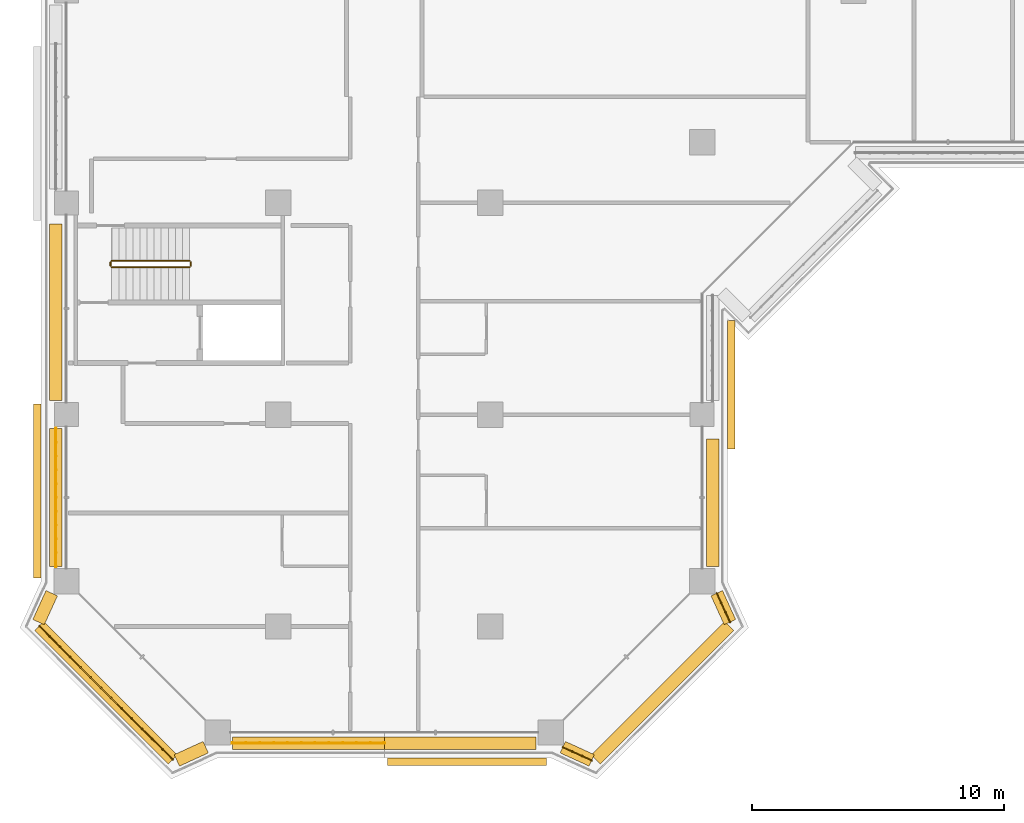
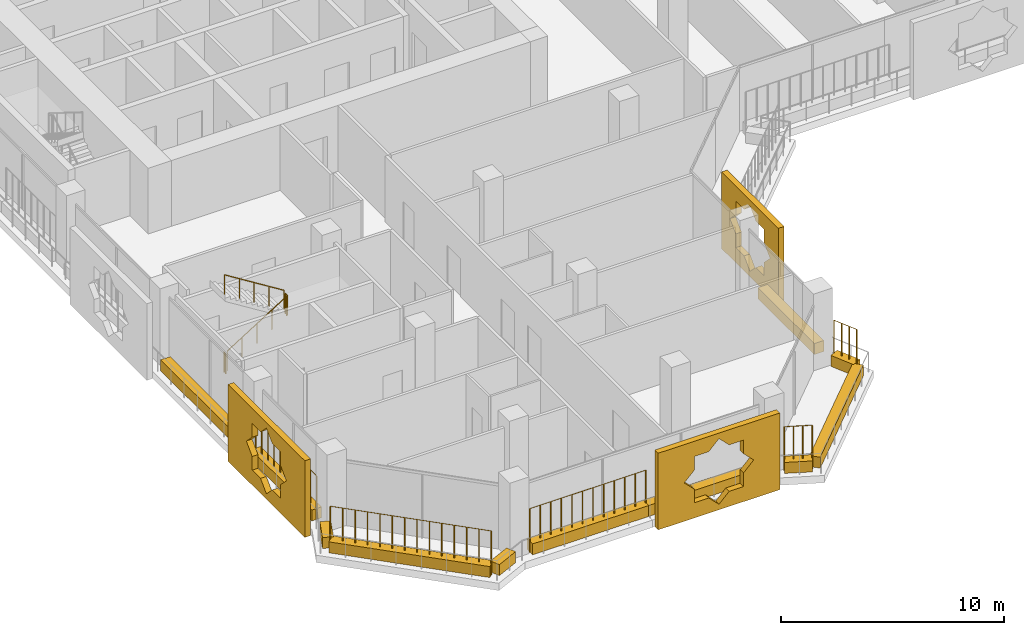
# One storey, part 15 of 21: 14 coverings, 9 railings.
"""IFC4 building model written with IfcOpenShell, lengths in metres."""

from ifc_helpers import new_model, si_unit, direction, frame, origin, origin_2d, place, context, subcontext, project, spatial, polyline, rectangle, circle, outline, extrude, material, material_profile, profile_set, type_object, element, save


model = new_model("IFC4")

# Units and contexts
model_context = context("Model", 3, precision=1e-05, world=origin(), true_north=direction((0.0, 1.0)))
body_context = subcontext(model_context, "Body", "Model", "MODEL_VIEW")
ifc_project = project(units=[si_unit("LENGTHUNIT", "METRE"), si_unit("AREAUNIT", "SQUARE_METRE"), si_unit("VOLUMEUNIT", "CUBIC_METRE"), si_unit("PLANEANGLEUNIT", "RADIAN"), si_unit("MASSUNIT", "GRAM", prefix="KILO")], contexts=[model_context])

# Site, building, storey
site_placement = place(None, origin())
site = spatial("IfcSite", under=ifc_project, at=site_placement, CompositionType="ELEMENT")
building_placement = place(site_placement, origin())
building = spatial("IfcBuilding", under=site, at=building_placement, Name="Kawkab Arch Medical Tower", CompositionType="ELEMENT")
storey_placement = place(building_placement, frame((0.0, 0.0, 192.0)))
storey = spatial("IfcBuildingStorey", under=building, at=storey_placement, Name="L44", CompositionType="ELEMENT", Elevation=192.0)

# Coverings
ifc_material_1 = material(Name="Bronze anodised aluminium mashrabiya panel, eight-point star pattern", Category="aluminium")
ifc_material_profile_1 = material_profile(ifc_material_1, outline(polyline([(-2.550048828125, -2.10009765625), (2.550048828125, -2.10009765625), (2.550048828125, 2.10009765625), (-2.550048828125, 2.10009765625), (-2.550048828125, -2.10009765625)]), holes=[polyline([(1.800048828125, 0.0), (1.272705078125, 0.527099609375), (1.272705078125, 1.272705078125), (0.527099609375, 1.272705078125), (0.0, 1.800048828125), (-0.527099609375, 1.272705078125), (-1.272705078125, 1.272705078125), (-1.272705078125, 0.527099609375), (-1.800048828125, 0.0), (-1.272705078125, -0.527099609375), (-1.272705078125, -1.272705078125), (-0.527099609375, -1.272705078125), (0.0, -1.800048828125), (0.527099609375, -1.272705078125), (1.272705078125, -1.272705078125), (1.272705078125, -0.527099609375), (1.800048828125, 0.0)])]), Name="Mashrabiya panel 5100x4200")
ifc_profile_set_1 = profile_set([ifc_material_profile_1], Name="Bronze anodised aluminium mashrabiya panel, eight-point star pattern")
covering_type_1 = type_object("IfcCoveringType", Name="Mashrabiya panel 5100 x 4200", PredefinedType="USERDEFINED", material=ifc_profile_set_1)
covering_1_placement = place(storey_placement, frame((26.199951171875, -40.807373046875, 1.699951171875), z_axis=(1.0, 0.0, 0.0), x_axis=(0.0, 1.0, 0.0)))
element("IfcCovering", 1, at=covering_1_placement, inside=storey, type_object=covering_type_1, Name="Mashrabiya panel L44.LOG-01-01.12", ObjectType="SCREEN", PredefinedType="USERDEFINED", context=body_context, shape_type="SweptSolid", body=[
    extrude(outline(polyline([(-2.550048828125, -2.10009765625), (2.550048828125, -2.10009765625), (2.550048828125, 2.10009765625), (-2.550048828125, 2.10009765625), (-2.550048828125, -2.10009765625)]), holes=[polyline([(1.800048828125, 0.0), (1.272705078125, 0.527099609375), (1.272705078125, 1.272705078125), (0.527099609375, 1.272705078125), (0.0, 1.800048828125), (-0.527099609375, 1.272705078125), (-1.272705078125, 1.272705078125), (-1.272705078125, 0.527099609375), (-1.800048828125, 0.0), (-1.272705078125, -0.527099609375), (-1.272705078125, -1.272705078125), (-0.527099609375, -1.272705078125), (0.0, -1.800048828125), (0.527099609375, -1.272705078125), (1.272705078125, -1.272705078125), (1.272705078125, -0.527099609375), (1.800048828125, 0.0)])]), origin(), (0.0, 0.0, 1.0), 0.300048828125),
])
ifc_material_2 = material(Name="Bronze anodised aluminium mashrabiya panel, eight-point star pattern", Category="aluminium")
ifc_material_profile_2 = material_profile(ifc_material_2, outline(polyline([(-3.14990234375, -2.10009765625), (3.14990234375, -2.10009765625), (3.14990234375, 2.10009765625), (-3.14990234375, 2.10009765625), (-3.14990234375, -2.10009765625)]), holes=[polyline([(1.800048828125, 0.0), (1.272705078125, 0.527099609375), (1.272705078125, 1.272705078125), (0.527099609375, 1.272705078125), (0.0, 1.800048828125), (-0.527099609375, 1.272705078125), (-1.272705078125, 1.272705078125), (-1.272705078125, 0.527099609375), (-1.800048828125, 0.0), (-1.272705078125, -0.527099609375), (-1.272705078125, -1.272705078125), (-0.527099609375, -1.272705078125), (0.0, -1.800048828125), (0.527099609375, -1.272705078125), (1.272705078125, -1.272705078125), (1.272705078125, -0.527099609375), (1.800048828125, 0.0)])]), Name="Mashrabiya panel 6300x4200")
ifc_profile_set_2 = profile_set([ifc_material_profile_2], Name="Bronze anodised aluminium mashrabiya panel, eight-point star pattern")
covering_type_2 = type_object("IfcCoveringType", Name="Mashrabiya panel 6300 x 4200", PredefinedType="USERDEFINED", material=ifc_profile_set_2)
covering_2_placement = place(storey_placement, frame((15.881103515625, -55.60009765625, 1.699951171875), z_axis=(0.0, -1.0, 0.0), x_axis=(1.0, 0.0, 0.0)))
element("IfcCovering", 2, at=covering_2_placement, inside=storey, type_object=covering_type_2, Name="Mashrabiya panel L44.LOG-01-01.1", ObjectType="SCREEN", PredefinedType="USERDEFINED", context=body_context, shape_type="SweptSolid", body=[
    extrude(outline(polyline([(-3.14990234375, -2.10009765625), (3.14990234375, -2.10009765625), (3.14990234375, 2.10009765625), (-3.14990234375, 2.10009765625), (-3.14990234375, -2.10009765625)]), holes=[polyline([(1.800048828125, 0.0), (1.272705078125, 0.527099609375), (1.272705078125, 1.272705078125), (0.527099609375, 1.272705078125), (0.0, 1.800048828125), (-0.527099609375, 1.272705078125), (-1.272705078125, 1.272705078125), (-1.272705078125, 0.527099609375), (-1.800048828125, 0.0), (-1.272705078125, -0.527099609375), (-1.272705078125, -1.272705078125), (-0.527099609375, -1.272705078125), (0.0, -1.800048828125), (0.527099609375, -1.272705078125), (1.272705078125, -1.272705078125), (1.272705078125, -0.527099609375), (1.800048828125, 0.0)])]), origin(), (0.0, 0.0, 1.0), 0.2998046875),
])
ifc_material_3 = material(Name="Bronze anodised aluminium mashrabiya panel, eight-point star pattern", Category="aluminium")
ifc_material_profile_3 = material_profile(ifc_material_3, outline(polyline([(-3.449951171875, -2.10009765625), (3.449951171875, -2.10009765625), (3.449951171875, 2.10009765625), (-3.449951171875, 2.10009765625), (-3.449951171875, -2.10009765625)]), holes=[polyline([(1.800048828125, 0.0), (1.272705078125, 0.527099609375), (1.272705078125, 1.272705078125), (0.527099609375, 1.272705078125), (0.0, 1.800048828125), (-0.527099609375, 1.272705078125), (-1.272705078125, 1.272705078125), (-1.272705078125, 0.527099609375), (-1.800048828125, 0.0), (-1.272705078125, -0.527099609375), (-1.272705078125, -1.272705078125), (-0.527099609375, -1.272705078125), (0.0, -1.800048828125), (0.527099609375, -1.272705078125), (1.272705078125, -1.272705078125), (1.272705078125, -0.527099609375), (1.800048828125, 0.0)])]), Name="Mashrabiya panel 6900x4200")
ifc_profile_set_3 = profile_set([ifc_material_profile_3], Name="Bronze anodised aluminium mashrabiya panel, eight-point star pattern")
covering_type_3 = type_object("IfcCoveringType", Name="Mashrabiya panel 6900 x 4200", PredefinedType="USERDEFINED", material=ifc_profile_set_3)
covering_3_placement = place(storey_placement, frame((-1.0, -45.03173828125, 1.699951171875), z_axis=(-1.0, 0.0, 0.0), x_axis=(0.0, -1.0, 0.0)))
element("IfcCovering", 3, at=covering_3_placement, inside=storey, type_object=covering_type_3, Name="Mashrabiya panel L44.LOG-01-01.2", ObjectType="SCREEN", PredefinedType="USERDEFINED", context=body_context, shape_type="SweptSolid", body=[
    extrude(outline(polyline([(-3.449951171875, -2.10009765625), (3.449951171875, -2.10009765625), (3.449951171875, 2.10009765625), (-3.449951171875, 2.10009765625), (-3.449951171875, -2.10009765625)]), holes=[polyline([(1.800048828125, 0.0), (1.272705078125, 0.527099609375), (1.272705078125, 1.272705078125), (0.527099609375, 1.272705078125), (0.0, 1.800048828125), (-0.527099609375, 1.272705078125), (-1.272705078125, 1.272705078125), (-1.272705078125, 0.527099609375), (-1.800048828125, 0.0), (-1.272705078125, -0.527099609375), (-1.272705078125, -1.272705078125), (-0.527099609375, -1.272705078125), (0.0, -1.800048828125), (0.527099609375, -1.272705078125), (1.272705078125, -1.272705078125), (1.272705078125, -0.527099609375), (1.800048828125, 0.0)])]), origin(), (0.0, 0.0, 1.0), 0.300048828125),
])
ifc_material_4 = material(Name="Planting soil in a precast trough", Category="concrete")
ifc_material_profile_4 = material_profile(ifc_material_4, rectangle(XDim=0.5, YDim=0.60009765625, at=origin_2d()), Name="Trough 500x600")
ifc_profile_set_4 = profile_set([ifc_material_profile_4], Name="Planting soil in a precast trough")
covering_type_4 = type_object("IfcCoveringType", Name="Planter trough 500 x 600", PredefinedType="USERDEFINED", material=ifc_profile_set_4)
covering_4_placement = place(storey_placement, frame((20.821044921875, -55.701904296875, 0.300048828125), z_axis=(-0.909780461959, 0.415089762627, 0.0), x_axis=(-0.415089762627, -0.909780461959, 0.0)))
element("IfcCovering", 4, at=covering_4_placement, inside=storey, type_object=covering_type_4, Name="Planter L44.LOG-01-01.1", ObjectType="PLANTER", PredefinedType="USERDEFINED", context=body_context, shape_type="SweptSolid", body=[
    extrude(rectangle(XDim=0.5, YDim=0.60009765625, at=origin_2d()), origin(), (0.0, 0.0, 1.0), 1.257568359375),
])
for number, where, z_axis, x_axis, name in (
    (5, (18.6201171875, -55.02001953125, 0.300048828125), (-1.0, 0.0, 0.0), (0.0, -1.0, 0.0), "Planter L44.LOG-01-01.2"),
    (6, (12.60009765625, -55.02001953125, 0.300048828125), (-1.0, 0.0, 0.0), (0.0, -1.0, 0.0), "Planter L44.LOG-01-01.3"),
):
    element("IfcCovering", number, at=place(storey_placement, frame(where, z_axis=z_axis, x_axis=x_axis)), inside=storey, type_object=covering_type_4, Name=name, ObjectType="PLANTER", PredefinedType="USERDEFINED", context=body_context, shape_type="SweptSolid", body=[
        extrude(rectangle(XDim=0.5, YDim=0.60009765625, at=origin_2d()), origin(), (0.0, 0.0, 1.0), 6.02001953125),
    ])
covering_5_placement = place(storey_placement, frame((5.52294921875, -55.179931640625, 0.300048828125), z_axis=(-0.909780461959, -0.415089762627, 0.0), x_axis=(0.415089762627, -0.909780461959, 0.0)))
element("IfcCovering", 7, at=covering_5_placement, inside=storey, type_object=covering_type_4, Name="Planter L44.LOG-01-01.4", ObjectType="PLANTER", PredefinedType="USERDEFINED", context=body_context, shape_type="SweptSolid", body=[
    extrude(rectangle(XDim=0.5, YDim=0.60009765625, at=origin_2d()), origin(), (0.0, 0.0, 1.0), 1.257568359375),
])
covering_6_placement = place(storey_placement, frame((4.217041015625, -55.673095703125, 0.300048828125), z_axis=(-0.707106781187, 0.707106781187, 0.0), x_axis=(-0.707106781187, -0.707106781187, 0.0)))
element("IfcCovering", 8, at=covering_6_placement, inside=storey, type_object=covering_type_4, Name="Planter L44.LOG-01-01.5", ObjectType="PLANTER", PredefinedType="USERDEFINED", context=body_context, shape_type="SweptSolid", body=[
    extrude(rectangle(XDim=0.5, YDim=0.60009765625, at=origin_2d()), origin(), (0.0, 0.0, 1.0), 7.481201171875),
])
covering_7_placement = place(storey_placement, frame((-1.10205078125, -50.220947265625, 0.300048828125), z_axis=(0.415089762627, 0.909780461959, 0.0), x_axis=(-0.909780461959, 0.415089762627, 0.0)))
element("IfcCovering", 9, at=covering_7_placement, inside=storey, type_object=covering_type_4, Name="Planter L44.LOG-01-01.6", ObjectType="PLANTER", PredefinedType="USERDEFINED", context=body_context, shape_type="SweptSolid", body=[
    extrude(rectangle(XDim=0.5, YDim=0.60009765625, at=origin_2d()), origin(), (0.0, 0.0, 1.0), 1.257568359375),
])
covering_8_placement = place(storey_placement, frame((-0.419921875, -48.02001953125, 0.300048828125), z_axis=(0.0, 1.0, 0.0), x_axis=(-1.0, 0.0, 0.0)))
element("IfcCovering", 10, at=covering_8_placement, inside=storey, type_object=covering_type_4, Name="Planter L44.LOG-01-01.7", ObjectType="PLANTER", PredefinedType="USERDEFINED", context=body_context, shape_type="SweptSolid", body=[
    extrude(rectangle(XDim=0.5, YDim=0.60009765625, at=origin_2d()), origin(), (0.0, 0.0, 1.0), 5.465087890625),
])
covering_9_placement = place(storey_placement, frame((-0.419921875, -41.445068359375, 0.300048828125), z_axis=(0.0, 1.0, 0.0), x_axis=(-1.0, 0.0, 0.0)))
element("IfcCovering", 11, at=covering_9_placement, inside=storey, type_object=covering_type_4, Name="Planter L44.LOG-01-01.8", ObjectType="PLANTER", PredefinedType="USERDEFINED", context=body_context, shape_type="SweptSolid", body=[
    extrude(rectangle(XDim=0.5, YDim=0.60009765625, at=origin_2d()), origin(), (0.0, 0.0, 1.0), 7.003173828125),
])
covering_10_placement = place(storey_placement, frame((25.6201171875, -42.955078125, 0.300048828125), z_axis=(0.0, -1.0, 0.0), x_axis=(1.0, 0.0, 0.0)))
element("IfcCovering", 12, at=covering_10_placement, inside=storey, type_object=covering_type_4, Name="Planter L44.LOG-01-01.42", ObjectType="PLANTER", PredefinedType="USERDEFINED", context=body_context, shape_type="SweptSolid", body=[
    extrude(rectangle(XDim=0.5, YDim=0.60009765625, at=origin_2d()), origin(), (0.0, 0.0, 1.0), 5.06494140625),
])
covering_11_placement = place(storey_placement, frame((25.780029296875, -49.076904296875, 0.300048828125), z_axis=(0.415089762627, -0.909780461959, 0.0), x_axis=(0.909780461959, 0.415089762627, 0.0)))
element("IfcCovering", 13, at=covering_11_placement, inside=storey, type_object=covering_type_4, Name="Planter L44.LOG-01-01.43", ObjectType="PLANTER", PredefinedType="USERDEFINED", context=body_context, shape_type="SweptSolid", body=[
    extrude(rectangle(XDim=0.5, YDim=0.60009765625, at=origin_2d()), origin(), (0.0, 0.0, 1.0), 1.257568359375),
])
covering_12_placement = place(storey_placement, frame((26.27294921875, -50.383056640625, 0.300048828125), z_axis=(-0.707106781187, -0.707106781187, 0.0), x_axis=(0.707106781187, -0.707106781187, 0.0)))
element("IfcCovering", 14, at=covering_12_placement, inside=storey, type_object=covering_type_4, Name="Planter L44.LOG-01-01.44", ObjectType="PLANTER", PredefinedType="USERDEFINED", context=body_context, shape_type="SweptSolid", body=[
    extrude(rectangle(XDim=0.5, YDim=0.60009765625, at=origin_2d()), origin(), (0.0, 0.0, 1.0), 7.481201171875),
])

# Railings
ifc_material_5 = material(Name="Bronze anodised aluminium trellis for climbing plants", Category="aluminium")
railing_type_1 = type_object("IfcRailingType", Name="Planting trellis 2400", PredefinedType="USERDEFINED", material=ifc_material_5)
railing_1_placement = place(storey_placement, frame((20.821044921875, -55.701904296875, 0.0)))
element("IfcRailing", 15, at=railing_1_placement, inside=storey, type_object=railing_type_1, Name="Planting trellis L44.LOG-01-01.1", ObjectType="TRELLIS", PredefinedType="USERDEFINED", context=body_context, shape_type="SweptSolid", body=[
    extrude(circle(Radius=0.01513671875, at=origin_2d()), frame((0.0, 0.0, 2.384765625), z_axis=(-0.909780461959, 0.415089762627, 0.0), x_axis=(-0.415089762627, -0.909780461959, 0.0)), (0.0, 0.0, 1.0), 1.257568359375),
    extrude(circle(Radius=0.030029296875, at=origin_2d()), origin(), (0.0, 0.0, 1.0), 2.369873046875),
    extrude(circle(Radius=0.030029296875, at=origin_2d()), frame((-0.38134765625, 0.174072265625, 0.0)), (0.0, 0.0, 1.0), 2.369873046875),
    extrude(circle(Radius=0.030029296875, at=origin_2d()), frame((-0.7626953125, 0.347900390625, 0.0)), (0.0, 0.0, 1.0), 2.369873046875),
    extrude(circle(Radius=0.030029296875, at=origin_2d()), frame((-1.14404296875, 0.52197265625, 0.0)), (0.0, 0.0, 1.0), 2.369873046875),
])
railing_2_placement = place(storey_placement, frame((12.60009765625, -55.02001953125, 0.0)))
element("IfcRailing", 16, at=railing_2_placement, inside=storey, type_object=railing_type_1, Name="Planting trellis L44.LOG-01-01.3", ObjectType="TRELLIS", PredefinedType="USERDEFINED", context=body_context, shape_type="SweptSolid", body=[
    extrude(circle(Radius=0.01513671875, at=origin_2d()), frame((0.0, 0.0, 2.384765625), z_axis=(-1.0, 0.0, 0.0), x_axis=(0.0, -1.0, 0.0)), (0.0, 0.0, 1.0), 6.02001953125),
    extrude(circle(Radius=0.030029296875, at=origin_2d()), origin(), (0.0, 0.0, 1.0), 2.369873046875),
    extrude(circle(Radius=0.030029296875, at=origin_2d()), frame((-0.54736328125, 0.0, 0.0)), (0.0, 0.0, 1.0), 2.369873046875),
    extrude(circle(Radius=0.030029296875, at=origin_2d()), frame((-1.094482421875, 0.0, 0.0)), (0.0, 0.0, 1.0), 2.369873046875),
    extrude(circle(Radius=0.030029296875, at=origin_2d()), frame((-1.641845703125, 0.0, 0.0)), (0.0, 0.0, 1.0), 2.369873046875),
    extrude(circle(Radius=0.030029296875, at=origin_2d()), frame((-2.189208984375, 0.0, 0.0)), (0.0, 0.0, 1.0), 2.369873046875),
    extrude(circle(Radius=0.030029296875, at=origin_2d()), frame((-2.736328125, 0.0, 0.0)), (0.0, 0.0, 1.0), 2.369873046875),
    extrude(circle(Radius=0.030029296875, at=origin_2d()), frame((-3.28369140625, 0.0, 0.0)), (0.0, 0.0, 1.0), 2.369873046875),
    extrude(circle(Radius=0.030029296875, at=origin_2d()), frame((-3.830810546875, 0.0, 0.0)), (0.0, 0.0, 1.0), 2.369873046875),
    extrude(circle(Radius=0.030029296875, at=origin_2d()), frame((-4.378173828125, 0.0, 0.0)), (0.0, 0.0, 1.0), 2.369873046875),
    extrude(circle(Radius=0.030029296875, at=origin_2d()), frame((-4.925537109375, 0.0, 0.0)), (0.0, 0.0, 1.0), 2.369873046875),
    extrude(circle(Radius=0.030029296875, at=origin_2d()), frame((-5.47265625, 0.0, 0.0)), (0.0, 0.0, 1.0), 2.369873046875),
    extrude(circle(Radius=0.030029296875, at=origin_2d()), frame((-6.02001953125, 0.0, 0.0)), (0.0, 0.0, 1.0), 2.369873046875),
])
railing_3_placement = place(storey_placement, frame((4.217041015625, -55.673095703125, 0.0)))
element("IfcRailing", 17, at=railing_3_placement, inside=storey, type_object=railing_type_1, Name="Planting trellis L44.LOG-01-01.5", ObjectType="TRELLIS", PredefinedType="USERDEFINED", context=body_context, shape_type="SweptSolid", body=[
    extrude(circle(Radius=0.01513671875, at=origin_2d()), frame((0.0, 0.0, 2.384765625), z_axis=(-0.707106781187, 0.707106781187, 0.0), x_axis=(-0.707106781187, -0.707106781187, 0.0)), (0.0, 0.0, 1.0), 7.481201171875),
    extrude(circle(Radius=0.030029296875, at=origin_2d()), origin(), (0.0, 0.0, 1.0), 2.369873046875),
    extrude(circle(Radius=0.030029296875, at=origin_2d()), frame((-0.406982421875, 0.406982421875, 0.0)), (0.0, 0.0, 1.0), 2.369873046875),
    extrude(circle(Radius=0.030029296875, at=origin_2d()), frame((-0.81396484375, 0.81396484375, 0.0)), (0.0, 0.0, 1.0), 2.369873046875),
    extrude(circle(Radius=0.030029296875, at=origin_2d()), frame((-1.220703125, 1.220703125, 0.0)), (0.0, 0.0, 1.0), 2.369873046875),
    extrude(circle(Radius=0.030029296875, at=origin_2d()), frame((-1.627685546875, 1.627685546875, 0.0)), (0.0, 0.0, 1.0), 2.369873046875),
    extrude(circle(Radius=0.030029296875, at=origin_2d()), frame((-2.03466796875, 2.03466796875, 0.0)), (0.0, 0.0, 1.0), 2.369873046875),
    extrude(circle(Radius=0.030029296875, at=origin_2d()), frame((-2.441650390625, 2.441650390625, 0.0)), (0.0, 0.0, 1.0), 2.369873046875),
    extrude(circle(Radius=0.030029296875, at=origin_2d()), frame((-2.848388671875, 2.848388671875, 0.0)), (0.0, 0.0, 1.0), 2.369873046875),
    extrude(circle(Radius=0.030029296875, at=origin_2d()), frame((-3.25537109375, 3.25537109375, 0.0)), (0.0, 0.0, 1.0), 2.369873046875),
    extrude(circle(Radius=0.030029296875, at=origin_2d()), frame((-3.662353515625, 3.662353515625, 0.0)), (0.0, 0.0, 1.0), 2.369873046875),
    extrude(circle(Radius=0.030029296875, at=origin_2d()), frame((-4.0693359375, 4.0693359375, 0.0)), (0.0, 0.0, 1.0), 2.369873046875),
    extrude(circle(Radius=0.030029296875, at=origin_2d()), frame((-4.47607421875, 4.47607421875, 0.0)), (0.0, 0.0, 1.0), 2.369873046875),
    extrude(circle(Radius=0.030029296875, at=origin_2d()), frame((-4.883056640625, 4.883056640625, 0.0)), (0.0, 0.0, 1.0), 2.369873046875),
    extrude(circle(Radius=0.030029296875, at=origin_2d()), frame((-5.2900390625, 5.2900390625, 0.0)), (0.0, 0.0, 1.0), 2.369873046875),
])
railing_4_placement = place(storey_placement, frame((-0.419921875, -48.02001953125, 0.0)))
element("IfcRailing", 18, at=railing_4_placement, inside=storey, type_object=railing_type_1, Name="Planting trellis L44.LOG-01-01.7", ObjectType="TRELLIS", PredefinedType="USERDEFINED", context=body_context, shape_type="SweptSolid", body=[
    extrude(circle(Radius=0.01513671875, at=origin_2d()), frame((0.0, 0.0, 2.384765625), z_axis=(0.0, 1.0, 0.0), x_axis=(-1.0, 0.0, 0.0)), (0.0, 0.0, 1.0), 5.465087890625),
    extrude(circle(Radius=0.030029296875, at=origin_2d()), origin(), (0.0, 0.0, 1.0), 2.369873046875),
    extrude(circle(Radius=0.030029296875, at=origin_2d()), frame((0.0, 0.54638671875, 0.0)), (0.0, 0.0, 1.0), 2.369873046875),
    extrude(circle(Radius=0.030029296875, at=origin_2d()), frame((0.0, 1.093017578125, 0.0)), (0.0, 0.0, 1.0), 2.369873046875),
    extrude(circle(Radius=0.030029296875, at=origin_2d()), frame((0.0, 1.6396484375, 0.0)), (0.0, 0.0, 1.0), 2.369873046875),
    extrude(circle(Radius=0.030029296875, at=origin_2d()), frame((0.0, 2.18603515625, 0.0)), (0.0, 0.0, 1.0), 2.369873046875),
    extrude(circle(Radius=0.030029296875, at=origin_2d()), frame((0.0, 2.732421875, 0.0)), (0.0, 0.0, 1.0), 2.369873046875),
    extrude(circle(Radius=0.030029296875, at=origin_2d()), frame((0.0, 3.279052734375, 0.0)), (0.0, 0.0, 1.0), 2.369873046875),
    extrude(circle(Radius=0.030029296875, at=origin_2d()), frame((0.0, 3.825439453125, 0.0)), (0.0, 0.0, 1.0), 2.369873046875),
    extrude(circle(Radius=0.030029296875, at=origin_2d()), frame((0.0, 4.3720703125, 0.0)), (0.0, 0.0, 1.0), 2.369873046875),
    extrude(circle(Radius=0.030029296875, at=origin_2d()), frame((0.0, 4.91845703125, 0.0)), (0.0, 0.0, 1.0), 2.369873046875),
    extrude(circle(Radius=0.030029296875, at=origin_2d()), frame((0.0, 5.465087890625, 0.0)), (0.0, 0.0, 1.0), 2.369873046875),
])
railing_5_placement = place(storey_placement, frame((25.780029296875, -49.076904296875, 0.0)))
element("IfcRailing", 19, at=railing_5_placement, inside=storey, type_object=railing_type_1, Name="Planting trellis L44.LOG-01-01.43", ObjectType="TRELLIS", PredefinedType="USERDEFINED", context=body_context, shape_type="SweptSolid", body=[
    extrude(circle(Radius=0.01513671875, at=origin_2d()), frame((0.0, 0.0, 2.384765625), z_axis=(0.415089762627, -0.909780461959, 0.0), x_axis=(0.909780461959, 0.415089762627, 0.0)), (0.0, 0.0, 1.0), 1.257568359375),
    extrude(circle(Radius=0.030029296875, at=origin_2d()), origin(), (0.0, 0.0, 1.0), 2.369873046875),
    extrude(circle(Radius=0.030029296875, at=origin_2d()), frame((0.174072265625, -0.38134765625, 0.0)), (0.0, 0.0, 1.0), 2.369873046875),
    extrude(circle(Radius=0.030029296875, at=origin_2d()), frame((0.347900390625, -0.7626953125, 0.0)), (0.0, 0.0, 1.0), 2.369873046875),
    extrude(circle(Radius=0.030029296875, at=origin_2d()), frame((0.52197265625, -1.14404296875, 0.0)), (0.0, 0.0, 1.0), 2.369873046875),
])
ifc_material_6 = material(Name="Stainless steel", Category="steel")
railing_type_2 = type_object("IfcRailingType", Name="Stair guard 1100", PredefinedType="GUARDRAIL", material=ifc_material_6)
railing_6_placement = place(storey_placement, frame((1.800048828125, -36.14990234375, 0.175048828125)))
element("IfcRailing", 20, at=railing_6_placement, inside=storey, type_object=railing_type_2, Name="L44 ST6 stair guard 1", PredefinedType="GUARDRAIL", context=body_context, shape_type="SweptSolid", body=[
    extrude(circle(Radius=0.02392578125, at=origin_2d()), frame((0.0, 0.0, 1.076171875), z_axis=(0.847979421464, 0.0, 0.530029150871), x_axis=(0.0, 1.0, 0.0)), (0.0, 0.0, 1.0), 3.632080078125),
    extrude(circle(Radius=0.02099609375, at=origin_2d()), origin(), (0.0, 0.0, 1.0), 1.052001953125),
    extrude(circle(Radius=0.02099609375, at=origin_2d()), frame((0.77001953125, 0.0, 0.481201171875)), (0.0, 0.0, 1.0), 1.052001953125),
    extrude(circle(Radius=0.02099609375, at=origin_2d()), frame((1.5400390625, 0.0, 0.96240234375)), (0.0, 0.0, 1.0), 1.052001953125),
    extrude(circle(Radius=0.02099609375, at=origin_2d()), frame((2.309814453125, 0.0, 1.44384765625)), (0.0, 0.0, 1.0), 1.052001953125),
    extrude(circle(Radius=0.02099609375, at=origin_2d()), frame((3.079833984375, 0.0, 1.925048828125)), (0.0, 0.0, 1.0), 1.052001953125),
])
railing_7_placement = place(storey_placement, frame((4.929931640625, -36.10009765625, 2.10009765625)))
element("IfcRailing", 21, at=railing_7_placement, inside=storey, type_object=railing_type_2, Name="L44 ST6 stair guard 2", PredefinedType="GUARDRAIL", context=body_context, shape_type="SweptSolid", body=[
    extrude(circle(Radius=0.02392578125, at=origin_2d()), frame((0.0, 0.0, 1.076171875), z_axis=(0.0, 1.0, 0.0), x_axis=(-1.0, 0.0, 0.0)), (0.0, 0.0, 1.0), 0.150146484375),
    extrude(circle(Radius=0.02099609375, at=origin_2d()), origin(), (0.0, 0.0, 1.0), 1.052001953125),
    extrude(circle(Radius=0.02099609375, at=origin_2d()), frame((0.0, 0.150146484375, 0.0)), (0.0, 0.0, 1.0), 1.052001953125),
])
railing_8_placement = place(storey_placement, frame((4.8798828125, -35.89990234375, 2.27490234375)))
element("IfcRailing", 22, at=railing_8_placement, inside=storey, type_object=railing_type_2, Name="L44 ST6 stair guard 3", PredefinedType="GUARDRAIL", context=body_context, shape_type="SweptSolid", body=[
    extrude(circle(Radius=0.02392578125, at=origin_2d()), frame((0.0, 0.0, 1.076171875), z_axis=(-0.847979421464, 0.0, 0.530029150871), x_axis=(0.0, -1.0, 0.0)), (0.0, 0.0, 1.0), 3.632080078125),
    extrude(circle(Radius=0.02099609375, at=origin_2d()), origin(), (0.0, 0.0, 1.0), 1.052001953125),
    extrude(circle(Radius=0.02099609375, at=origin_2d()), frame((-0.77001953125, 0.0, 0.481201171875)), (0.0, 0.0, 1.0), 1.052001953125),
    extrude(circle(Radius=0.02099609375, at=origin_2d()), frame((-1.5400390625, 0.0, 0.96240234375)), (0.0, 0.0, 1.0), 1.052001953125),
    extrude(circle(Radius=0.02099609375, at=origin_2d()), frame((-2.309814453125, 0.0, 1.44384765625)), (0.0, 0.0, 1.0), 1.052001953125),
    extrude(circle(Radius=0.02099609375, at=origin_2d()), frame((-3.079833984375, 0.0, 1.925048828125)), (0.0, 0.0, 1.0), 1.052001953125),
])
railing_9_placement = place(storey_placement, frame((1.75, -36.10009765625, 0.0)))
element("IfcRailing", 23, at=railing_9_placement, inside=storey, type_object=railing_type_2, Name="L44 ST6 stair guard 4", PredefinedType="GUARDRAIL", context=body_context, shape_type="SweptSolid", body=[
    extrude(circle(Radius=0.02392578125, at=origin_2d()), frame((0.0, 0.0, 1.076171875), z_axis=(0.0, 1.0, 0.0), x_axis=(-1.0, 0.0, 0.0)), (0.0, 0.0, 1.0), 0.150146484375),
    extrude(circle(Radius=0.02099609375, at=origin_2d()), origin(), (0.0, 0.0, 1.0), 1.052001953125),
    extrude(circle(Radius=0.02099609375, at=origin_2d()), frame((0.0, 0.150146484375, 0.0)), (0.0, 0.0, 1.0), 1.052001953125),
])

save(model, "model.ifc")
